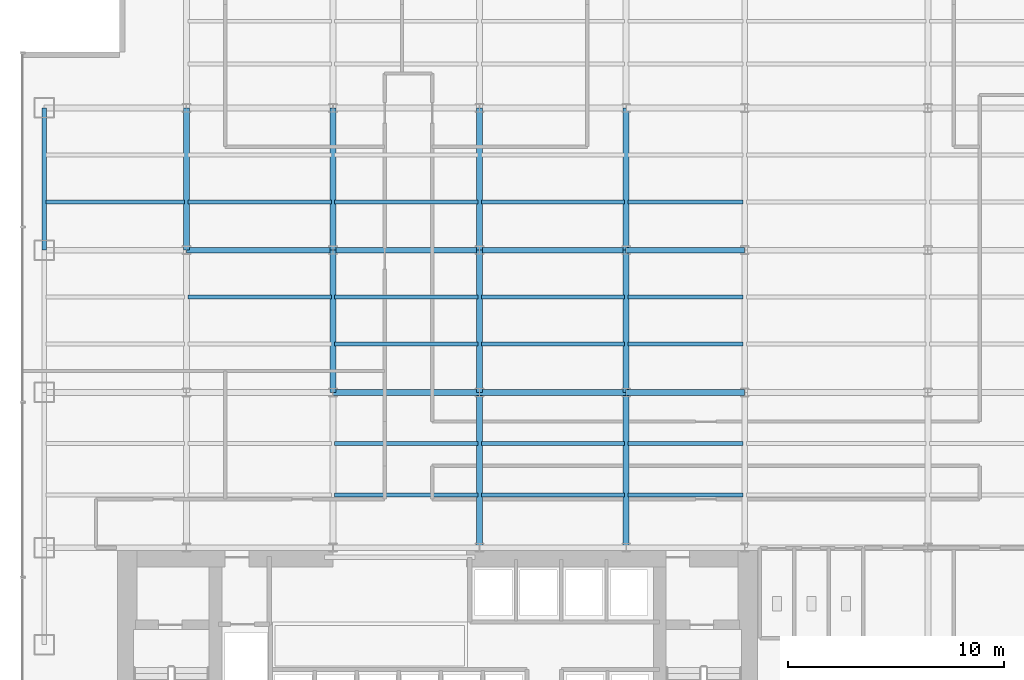
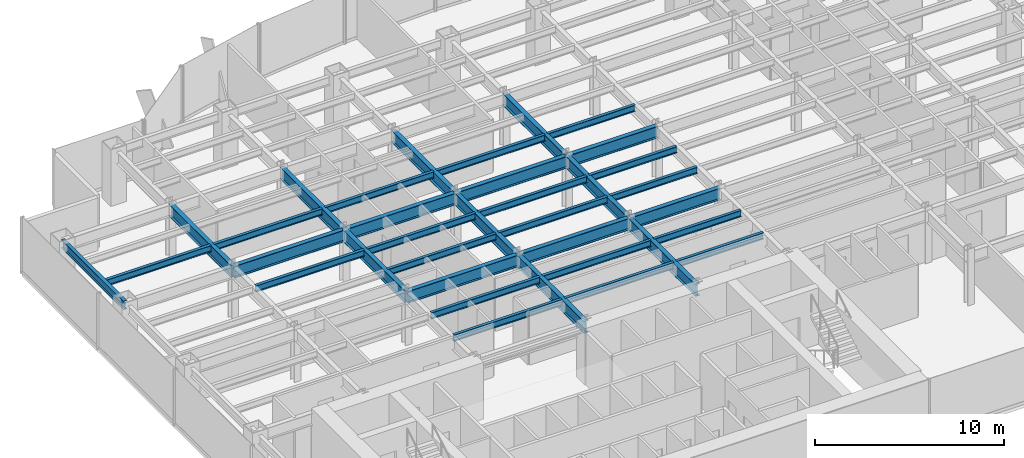
# One storey, part 5 of 22: 35 beams.
"""IFC4 building model written with IfcOpenShell, lengths in metres."""

from ifc_helpers import new_model, si_unit, derived_unit, direction, frame, origin, origin_2d, place, context, subcontext, project, spatial, i_section, extrude, source, transform, mapped, material, material_profile, profile_set, type_object, element, save


model = new_model("IFC4")

# Units and contexts
model_context = context("Model", 3, precision=1e-05, world=origin(), true_north=direction((0.0, 1.0)))
body_context = subcontext(model_context, "Body", "Model", "MODEL_VIEW")
ifc_project = project(units=[si_unit("LENGTHUNIT", "METRE"), si_unit("AREAUNIT", "SQUARE_METRE"), si_unit("VOLUMEUNIT", "CUBIC_METRE"), si_unit("PLANEANGLEUNIT", "RADIAN"), si_unit("MASSUNIT", "GRAM", prefix="KILO"), derived_unit("THERMALTRANSMITTANCEUNIT", [(si_unit("POWERUNIT", "WATT"), 1), (si_unit("LENGTHUNIT", "METRE"), -2), (si_unit("THERMODYNAMICTEMPERATUREUNIT", "KELVIN"), -1)])], contexts=[model_context])

# Site, building, storey
site_placement = place(None, origin())
site = spatial("IfcSite", under=ifc_project, at=site_placement, CompositionType="ELEMENT")
building_placement = place(site_placement, origin())
building = spatial("IfcBuilding", under=site, at=building_placement, Name="Skarnbrae Concourse Arena and Tower", CompositionType="ELEMENT")
storey_placement = place(building_placement, frame((0.0, 0.0, 58.050048828125)))
storey = spatial("IfcBuildingStorey", under=building, at=storey_placement, Name="L13", CompositionType="ELEMENT", Elevation=58.050048828125)

# Beams
ifc_material = material(Name="Steel CSA G40.21 350W", Category="steel")
ifc_material_profile_1 = material_profile(ifc_material, i_section(OverallWidth=0.26806640625, OverallDepth=0.77001953125, WebThickness=0.015625, FlangeThickness=0.025390625, at=origin_2d()), Name="W760X196")
ifc_profile_set_1 = profile_set([ifc_material_profile_1], Name="Steel CSA G40.21 350W")
beam_type_1 = type_object("IfcBeamType", Name="BM-GIRD-W760X196", PredefinedType="BEAM", material=ifc_profile_set_1)
shared_shape_1 = source(origin(), body_context, "Body", "SweptSolid", [
    extrude(i_section(OverallWidth=0.26806640625, OverallDepth=0.77001953125, WebThickness=0.015625, FlangeThickness=0.025390625, at=origin_2d()), origin(), (0.0, 0.0, 1.0), 6.60009765625),
])
for number, where, z_axis, x_axis, name in (
    (1, (14.39990234375, 21.199951171875, 3.014892578125), (0.0, 1.0, 0.0), (-1.0, 0.0, 0.0), "L13 Primary N-S girder X14.4-2"),
    (2, (21.199951171875, 21.199951171875, 3.014892578125), (0.0, 1.0, 0.0), (-1.0, 0.0, 0.0), "L13 Primary N-S girder X21.2-2"),
    (3, (28.0, 21.199951171875, 3.014892578125), (0.0, 1.0, 0.0), (-1.0, 0.0, 0.0), "L13 Primary N-S girder X28.0-2"),
):
    element("IfcBeam", number, at=place(storey_placement, frame(where, z_axis=z_axis, x_axis=x_axis)), inside=storey, type_object=beam_type_1, Name=name, PredefinedType="BEAM", context=body_context, shape_type="MappedRepresentation", body=[
        mapped(shared_shape_1, transform((0.0, 0.0, 0.0))),
    ])
shared_shape_2 = source(origin(), body_context, "Body", "SweptSolid", [
    extrude(i_section(OverallWidth=0.26806640625, OverallDepth=0.77001953125, WebThickness=0.015625, FlangeThickness=0.025390625, at=origin_2d()), origin(), (0.0, 0.0, 1.0), 6.7998046875),
])
beam_1_placement = place(storey_placement, frame((7.60009765625, 27.800048828125, 3.014892578125), z_axis=(1.0, 0.0, 0.0), x_axis=(0.0, 1.0, 0.0)))
element("IfcBeam", 4, at=beam_1_placement, inside=storey, type_object=beam_type_1, Name="L13 Primary E-W girder Y27.8-2", PredefinedType="BEAM", context=body_context, shape_type="MappedRepresentation", body=[
    mapped(shared_shape_2, transform((0.0, 0.0, 0.0))),
])
shared_shape_3 = source(origin(), body_context, "Body", "SweptSolid", [
    extrude(i_section(OverallWidth=0.26806640625, OverallDepth=0.77001953125, WebThickness=0.015625, FlangeThickness=0.025390625, at=origin_2d()), origin(), (0.0, 0.0, 1.0), 6.800048828125),
])
for number, where, z_axis, x_axis, name in (
    (5, (14.39990234375, 21.199951171875, 3.014892578125), (1.0, 0.0, 0.0), (0.0, 1.0, 0.0), "L13 Primary E-W girder Y21.2-3"),
    (6, (21.199951171875, 21.199951171875, 3.014892578125), (1.0, 0.0, 0.0), (0.0, 1.0, 0.0), "L13 Primary E-W girder Y21.2-4"),
    (7, (14.39990234375, 27.800048828125, 3.014892578125), (1.0, 0.0, 0.0), (0.0, 1.0, 0.0), "L13 Primary E-W girder Y27.8-3"),
    (8, (21.199951171875, 27.800048828125, 3.014892578125), (1.0, 0.0, 0.0), (0.0, 1.0, 0.0), "L13 Primary E-W girder Y27.8-4"),
):
    element("IfcBeam", number, at=place(storey_placement, frame(where, z_axis=z_axis, x_axis=x_axis)), inside=storey, type_object=beam_type_1, Name=name, PredefinedType="BEAM", context=body_context, shape_type="MappedRepresentation", body=[
        mapped(shared_shape_3, transform((0.0, 0.0, 0.0))),
    ])
shared_shape_4 = source(origin(), body_context, "Body", "SweptSolid", [
    extrude(i_section(OverallWidth=0.26806640625, OverallDepth=0.77001953125, WebThickness=0.015625, FlangeThickness=0.025390625, at=origin_2d()), origin(), (0.0, 0.0, 1.0), 5.5),
])
for number, where, z_axis, x_axis, name in (
    (9, (28.0, 21.199951171875, 3.014892578125), (1.0, 0.0, 0.0), (0.0, 1.0, 0.0), "L13 Primary E-W girder Y21.2-5"),
    (10, (28.0, 27.800048828125, 3.014892578125), (1.0, 0.0, 0.0), (0.0, 1.0, 0.0), "L13 Primary E-W girder Y27.8-5"),
):
    element("IfcBeam", number, at=place(storey_placement, frame(where, z_axis=z_axis, x_axis=x_axis)), inside=storey, type_object=beam_type_1, Name=name, PredefinedType="BEAM", context=body_context, shape_type="MappedRepresentation", body=[
        mapped(shared_shape_4, transform((0.0, 0.0, 0.0))),
    ])
ifc_material_profile_2 = material_profile(ifc_material, i_section(OverallWidth=0.214111328125, OverallDepth=0.549072265625, WebThickness=0.0146484375, FlangeThickness=0.023681640625, at=origin_2d()), Name="W530X138")
ifc_profile_set_2 = profile_set([ifc_material_profile_2], Name="Steel CSA G40.21 350W")
beam_type_2 = type_object("IfcBeamType", Name="BM-SPAN-W530X138", PredefinedType="SPANDREL", material=ifc_profile_set_2)
shared_shape_5 = source(origin(), body_context, "Body", "SweptSolid", [
    extrude(i_section(OverallWidth=0.214111328125, OverallDepth=0.549072265625, WebThickness=0.0146484375, FlangeThickness=0.023681640625, at=origin_2d()), origin(), (0.0, 0.0, 1.0), 6.599853515625),
])
beam_2_placement = place(storey_placement, frame((1.0, 27.800048828125, 3.12548828125), z_axis=(0.0, 1.0, 0.0), x_axis=(-1.0, 0.0, 0.0)))
element("IfcBeam", 11, at=beam_2_placement, inside=storey, type_object=beam_type_2, Name="L13 Perimeter spandrel X1.0-4", PredefinedType="SPANDREL", context=body_context, shape_type="MappedRepresentation", body=[
    mapped(shared_shape_5, transform((0.0, 0.0, 0.0))),
])
shared_shape_6 = source(origin(), body_context, "Body", "SweptSolid", [
    extrude(i_section(OverallWidth=0.26806640625, OverallDepth=0.77001953125, WebThickness=0.015625, FlangeThickness=0.025390625, at=origin_2d()), origin(), (0.0, 0.0, 1.0), 7.199951171875),
])
for number, where, z_axis, x_axis, name in (
    (12, (21.199951171875, 14.0, 3.014892578125), (0.0, 1.0, 0.0), (-1.0, 0.0, 0.0), "L13 Primary N-S girder X21.2-1"),
    (13, (28.0, 14.0, 3.014892578125), (0.0, 1.0, 0.0), (-1.0, 0.0, 0.0), "L13 Primary N-S girder X28.0-1"),
):
    element("IfcBeam", number, at=place(storey_placement, frame(where, z_axis=z_axis, x_axis=x_axis)), inside=storey, type_object=beam_type_1, Name=name, PredefinedType="BEAM", context=body_context, shape_type="MappedRepresentation", body=[
        mapped(shared_shape_6, transform((0.0, 0.0, 0.0))),
    ])
shared_shape_7 = source(origin(), body_context, "Body", "SweptSolid", [
    extrude(i_section(OverallWidth=0.26806640625, OverallDepth=0.77001953125, WebThickness=0.015625, FlangeThickness=0.025390625, at=origin_2d()), origin(), (0.0, 0.0, 1.0), 6.599853515625),
])
for number, where, z_axis, x_axis, name in (
    (14, (7.60009765625, 27.800048828125, 3.014892578125), (0.0, 1.0, 0.0), (-1.0, 0.0, 0.0), "L13 Primary N-S girder X7.6-3"),
    (15, (14.39990234375, 27.800048828125, 3.014892578125), (0.0, 1.0, 0.0), (-1.0, 0.0, 0.0), "L13 Primary N-S girder X14.4-3"),
    (16, (21.199951171875, 27.800048828125, 3.014892578125), (0.0, 1.0, 0.0), (-1.0, 0.0, 0.0), "L13 Primary N-S girder X21.2-3"),
    (17, (28.0, 27.800048828125, 3.014892578125), (0.0, 1.0, 0.0), (-1.0, 0.0, 0.0), "L13 Primary N-S girder X28.0-3"),
):
    element("IfcBeam", number, at=place(storey_placement, frame(where, z_axis=z_axis, x_axis=x_axis)), inside=storey, type_object=beam_type_1, Name=name, PredefinedType="BEAM", context=body_context, shape_type="MappedRepresentation", body=[
        mapped(shared_shape_7, transform((0.0, 0.0, 0.0))),
    ])
ifc_material_profile_3 = material_profile(ifc_material, i_section(OverallWidth=0.180908203125, OverallDepth=0.4169921875, WebThickness=0.010986328125, FlangeThickness=0.018310546875, at=origin_2d()), Name="W410X85")
ifc_profile_set_3 = profile_set([ifc_material_profile_3], Name="Steel CSA G40.21 350W")
beam_type_3 = type_object("IfcBeamType", Name="BM-JOIST-W410X85", PredefinedType="JOIST", material=ifc_profile_set_3)
shared_shape_8 = source(origin(), body_context, "Body", "SweptSolid", [
    extrude(i_section(OverallWidth=0.180908203125, OverallDepth=0.4169921875, WebThickness=0.010986328125, FlangeThickness=0.018310546875, at=origin_2d()), origin(), (0.0, 0.0, 1.0), 6.43994140625),
])
beam_3_placement = place(storey_placement, frame((1.080078125, 30.0439453125, 3.19140625), z_axis=(1.0, 0.0, 0.0), x_axis=(0.0, 1.0, 0.0)))
element("IfcBeam", 18, at=beam_3_placement, inside=storey, type_object=beam_type_3, Name="L13 Secondary floor joist 3.1.1", PredefinedType="JOIST", context=body_context, shape_type="MappedRepresentation", body=[
    mapped(shared_shape_8, transform((0.0, 0.0, 0.0))),
])
shared_shape_9 = source(origin(), body_context, "Body", "SweptSolid", [
    extrude(i_section(OverallWidth=0.180908203125, OverallDepth=0.4169921875, WebThickness=0.010986328125, FlangeThickness=0.018310546875, at=origin_2d()), origin(), (0.0, 0.0, 1.0), 6.64013671875),
])
for number, where, z_axis, x_axis, name in (
    (19, (14.47998046875, 16.447998046875, 3.19140625), (1.0, 0.0, 0.0), (0.0, 1.0, 0.0), "L13 Secondary floor joist 1.1.3"),
    (20, (14.47998046875, 18.823974609375, 3.19140625), (1.0, 0.0, 0.0), (0.0, 1.0, 0.0), "L13 Secondary floor joist 1.2.3"),
    (21, (14.47998046875, 23.444091796875, 3.19140625), (1.0, 0.0, 0.0), (0.0, 1.0, 0.0), "L13 Secondary floor joist 2.1.3"),
    (22, (7.679931640625, 25.6220703125, 3.19140625), (1.0, 0.0, 0.0), (0.0, 1.0, 0.0), "L13 Secondary floor joist 2.2.2"),
    (23, (14.47998046875, 25.6220703125, 3.19140625), (1.0, 0.0, 0.0), (0.0, 1.0, 0.0), "L13 Secondary floor joist 2.2.3"),
    (24, (7.679931640625, 30.0439453125, 3.19140625), (1.0, 0.0, 0.0), (0.0, 1.0, 0.0), "L13 Secondary floor joist 3.1.2"),
    (25, (14.47998046875, 30.0439453125, 3.19140625), (1.0, 0.0, 0.0), (0.0, 1.0, 0.0), "L13 Secondary floor joist 3.1.3"),
):
    element("IfcBeam", number, at=place(storey_placement, frame(where, z_axis=z_axis, x_axis=x_axis)), inside=storey, type_object=beam_type_3, Name=name, PredefinedType="JOIST", context=body_context, shape_type="MappedRepresentation", body=[
        mapped(shared_shape_9, transform((0.0, 0.0, 0.0))),
    ])
shared_shape_10 = source(origin(), body_context, "Body", "SweptSolid", [
    extrude(i_section(OverallWidth=0.180908203125, OverallDepth=0.4169921875, WebThickness=0.010986328125, FlangeThickness=0.018310546875, at=origin_2d()), origin(), (0.0, 0.0, 1.0), 6.639892578125),
])
for number, where, z_axis, x_axis, name in (
    (26, (21.280029296875, 16.447998046875, 3.19140625), (1.0, 0.0, 0.0), (0.0, 1.0, 0.0), "L13 Secondary floor joist 1.1.4"),
    (27, (21.280029296875, 18.823974609375, 3.19140625), (1.0, 0.0, 0.0), (0.0, 1.0, 0.0), "L13 Secondary floor joist 1.2.4"),
    (28, (21.280029296875, 23.444091796875, 3.19140625), (1.0, 0.0, 0.0), (0.0, 1.0, 0.0), "L13 Secondary floor joist 2.1.4"),
    (29, (21.280029296875, 25.6220703125, 3.19140625), (1.0, 0.0, 0.0), (0.0, 1.0, 0.0), "L13 Secondary floor joist 2.2.4"),
    (30, (21.280029296875, 30.0439453125, 3.19140625), (1.0, 0.0, 0.0), (0.0, 1.0, 0.0), "L13 Secondary floor joist 3.1.4"),
):
    element("IfcBeam", number, at=place(storey_placement, frame(where, z_axis=z_axis, x_axis=x_axis)), inside=storey, type_object=beam_type_3, Name=name, PredefinedType="JOIST", context=body_context, shape_type="MappedRepresentation", body=[
        mapped(shared_shape_10, transform((0.0, 0.0, 0.0))),
    ])
shared_shape_11 = source(origin(), body_context, "Body", "SweptSolid", [
    extrude(i_section(OverallWidth=0.180908203125, OverallDepth=0.4169921875, WebThickness=0.010986328125, FlangeThickness=0.018310546875, at=origin_2d()), origin(), (0.0, 0.0, 1.0), 5.33984375),
])
for number, where, z_axis, x_axis, name in (
    (31, (28.080078125, 16.447998046875, 3.19140625), (1.0, 0.0, 0.0), (0.0, 1.0, 0.0), "L13 Secondary floor joist 1.1.5"),
    (32, (28.080078125, 18.823974609375, 3.19140625), (1.0, 0.0, 0.0), (0.0, 1.0, 0.0), "L13 Secondary floor joist 1.2.5"),
    (33, (28.080078125, 23.444091796875, 3.19140625), (1.0, 0.0, 0.0), (0.0, 1.0, 0.0), "L13 Secondary floor joist 2.1.5"),
    (34, (28.080078125, 25.6220703125, 3.19140625), (1.0, 0.0, 0.0), (0.0, 1.0, 0.0), "L13 Secondary floor joist 2.2.5"),
    (35, (28.080078125, 30.0439453125, 3.19140625), (1.0, 0.0, 0.0), (0.0, 1.0, 0.0), "L13 Secondary floor joist 3.1.5"),
):
    element("IfcBeam", number, at=place(storey_placement, frame(where, z_axis=z_axis, x_axis=x_axis)), inside=storey, type_object=beam_type_3, Name=name, PredefinedType="JOIST", context=body_context, shape_type="MappedRepresentation", body=[
        mapped(shared_shape_11, transform((0.0, 0.0, 0.0))),
    ])

save(model, "model.ifc")
